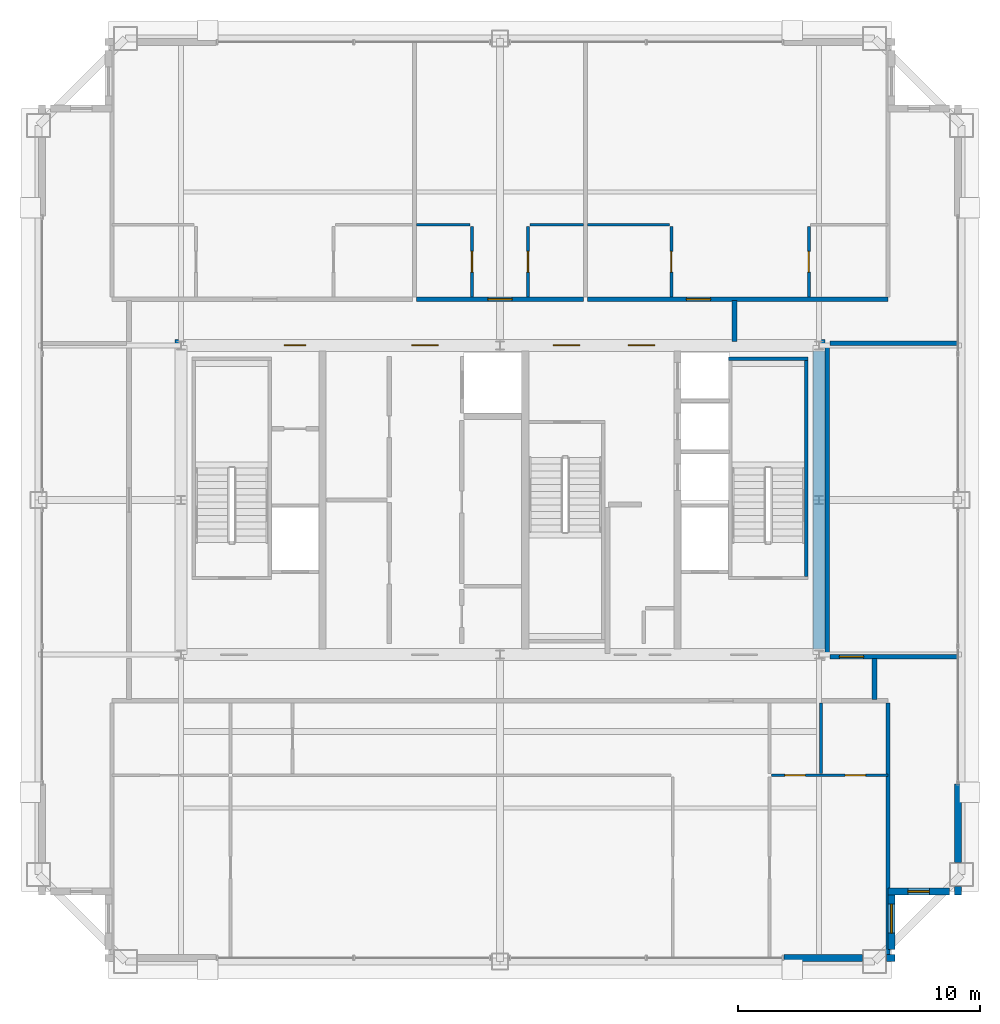
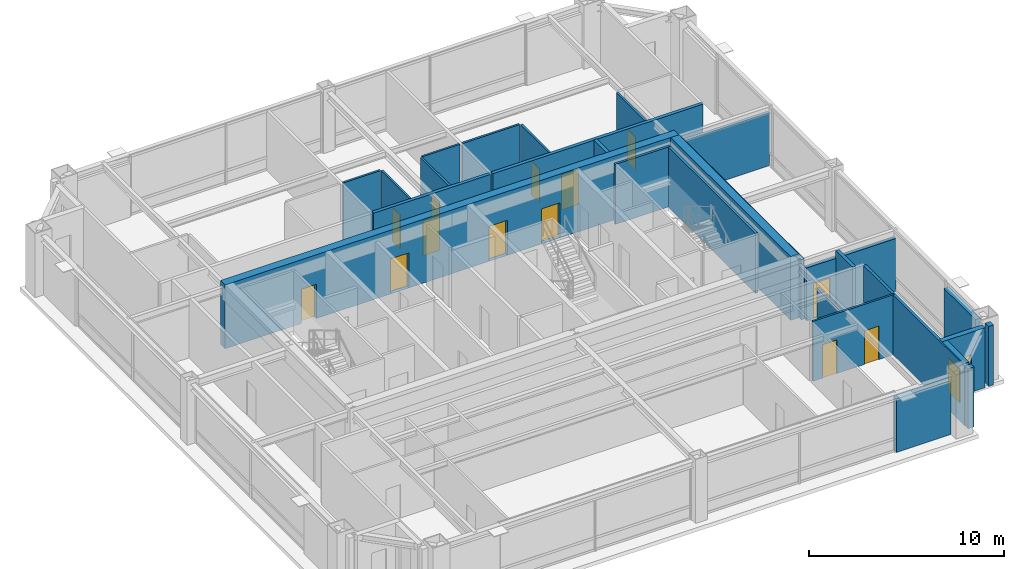
# One storey, part 32 of 34: 27 walls, 13 doors, 2 windows, 15 openings.
"""IFC4 building model written with IfcOpenShell, lengths in metres."""

from ifc_helpers import new_model, si_unit, direction, frame, frame_2d, origin, place, context, subcontext, project, spatial, rectangle, extrude, source, transform, mapped, material, layer, layer_set, type_object, element, fill, save


model = new_model("IFC4")

# Units and contexts
model_context = context("Model", 3, precision=1e-05, world=origin(), true_north=direction((0.0, 1.0)))
body_context = subcontext(model_context, "Body", "Model", "MODEL_VIEW")
ifc_project = project(units=[si_unit("LENGTHUNIT", "METRE"), si_unit("AREAUNIT", "SQUARE_METRE"), si_unit("VOLUMEUNIT", "CUBIC_METRE"), si_unit("PLANEANGLEUNIT", "RADIAN"), si_unit("MASSUNIT", "GRAM", prefix="KILO"), si_unit("THERMODYNAMICTEMPERATUREUNIT", "KELVIN"), si_unit("POWERUNIT", "WATT")], contexts=[model_context])

# Site, building, storey
site_placement = place(None, origin())
site = spatial("IfcSite", under=ifc_project, at=site_placement, CompositionType="ELEMENT")
building_placement = place(site_placement, origin())
building = spatial("IfcBuilding", under=site, at=building_placement, Name="Yuzanri Waterfront Tower", CompositionType="ELEMENT")
storey_placement = place(building_placement, frame((0.0, 0.0, 339.199951171875)))
storey = spatial("IfcBuildingStorey", under=building, at=storey_placement, Name="L91", CompositionType="ELEMENT", Elevation=339.199951171875)

# Wall, openings, doors
ifc_material_1 = material(Name="Moisture-Resistant Gypsum Stud Wall", Category="gypsum")
ifc_layer_1 = layer(ifc_material_1, 0.1201171875)
ifc_layer_set_1 = layer_set([ifc_layer_1], Name="Moisture-Resistant Gypsum Stud Wall")
wall_type_1 = type_object("IfcWallType", Name="Bathroom and Kitchen Wet Partition 120", PredefinedType="PARTITIONING", material=ifc_layer_set_1)
wall_1_placement = place(storey_placement, frame((48.22998046875, 14.409912109375, 0.0), z_axis=(0.0, 0.0, 1.0), x_axis=(1.0, 0.0, 0.0)))
wall_1 = element("IfcWall", 1, at=wall_1_placement, inside=storey, type_object=wall_type_1, Name="L91 Partition UW-L91-HS1-SUB-6-N", PredefinedType="PARTITIONING", context=body_context, shape_type="SweptSolid", body=[
    extrude(rectangle(XDim=4.830078125, YDim=0.1201171875, at=frame_2d((2.4150390625, 0.0))), origin(), (0.0, 0.0, 1.0), 3.760009765625),
])
opening_1_placement = place(wall_1_placement, frame((3.054931640625, 0.0, 0.0)))
opening_1 = element("IfcOpeningElement", 2, at=opening_1_placement, cuts=wall_1, Name="Opening ID-0850", PredefinedType="OPENING", context=body_context, shape_type="SweptSolid", body=[
    extrude(rectangle(XDim=0.85009765625, YDim=2.10009765625, at=frame_2d((0.425048828125, 1.050048828125))), frame((0.0, 0.074951171875, 0.0), z_axis=(0.0, -1.0, 0.0), x_axis=(1.0, 0.0, 0.0)), (0.0, 0.0, 1.0), 0.14990234375),
])
opening_2_placement = place(wall_1_placement, frame((0.56005859375, 0.0, 0.0)))
opening_2 = element("IfcOpeningElement", 3, at=opening_2_placement, cuts=wall_1, Name="Opening ID-0850", PredefinedType="OPENING", context=body_context, shape_type="SweptSolid", body=[
    extrude(rectangle(XDim=0.85009765625, YDim=2.10009765625, at=frame_2d((0.425048828125, 1.050048828125))), frame((0.0, 0.074951171875, 0.0), z_axis=(0.0, -1.0, 0.0), x_axis=(1.0, 0.0, 0.0)), (0.0, 0.0, 1.0), 0.14990234375),
])
ifc_material_2 = material(Name="Moisture-Resistant Lacquered Timber", Category="wood")
door_type_1 = type_object("IfcDoorType", Name="En-Suite Bathroom and Kitchen Swing Door 850x2100", OperationType="NOTDEFINED", PredefinedType="DOOR", material=ifc_material_2)
shared_shape_1 = source(origin(), body_context, "Body", "SweptSolid", [
    extrude(rectangle(XDim=0.85009765625, YDim=2.10009765625, at=frame_2d((0.425048828125, 1.050048828125))), frame((0.0, 0.02490234375, 0.0), z_axis=(0.0, -1.0, 0.0), x_axis=(1.0, 0.0, 0.0)), (0.0, 0.0, 1.0), 0.050048828125),
])
door_1_placement = place(opening_1_placement, origin())
door_1 = element("IfcDoor", 4, at=door_1_placement, inside=storey, type_object=door_type_1, Name="L91 Suite Interior Room Door", OperationType="SINGLE_SWING_RIGHT", OverallHeight=2.10009765625, OverallWidth=0.85009765625, PredefinedType="DOOR", context=body_context, shape_type="MappedRepresentation", body=[
    mapped(shared_shape_1, transform((0.0, 0.0, 0.0), scale=1.0)),
])
fill(opening_1, door_1)
door_2_placement = place(opening_2_placement, origin())
door_2 = element("IfcDoor", 5, at=door_2_placement, inside=storey, type_object=door_type_1, Name="L91 Suite Interior Room Door", OperationType="SINGLE_SWING_LEFT", OverallHeight=2.10009765625, OverallWidth=0.85009765625, PredefinedType="DOOR", context=body_context, shape_type="MappedRepresentation", body=[
    mapped(shared_shape_1, transform((0.0, 0.0, 0.0), scale=1.0)),
])
fill(opening_2, door_2)

# Wall, opening, door
wall_2_placement = place(storey_placement, frame((35.837890625, 34.2099609375, 0.0), z_axis=(0.0, 0.0, 1.0), x_axis=(0.0, 1.0, 0.0)))
wall_2 = element("IfcWall", 6, at=wall_2_placement, inside=storey, type_object=wall_type_1, Name="L91 Partition UW-L91-HN2-SUB-1-E", PredefinedType="PARTITIONING", context=body_context, shape_type="SweptSolid", body=[
    extrude(rectangle(XDim=2.900146484375, YDim=0.1201171875, at=frame_2d((1.4501953125, 0.0))), origin(), (0.0, 0.0, 1.0), 3.760009765625),
])
opening_3_placement = place(wall_2_placement, frame((1.02490234375, 0.0, 0.0)))
opening_3 = element("IfcOpeningElement", 7, at=opening_3_placement, cuts=wall_2, Name="Opening ID-0850", PredefinedType="OPENING", context=body_context, shape_type="SweptSolid", body=[
    extrude(rectangle(XDim=0.85009765625, YDim=2.10009765625, at=frame_2d((0.425048828125, 1.050048828125))), frame((0.0, 0.074951171875, 0.0), z_axis=(0.0, -1.0, 0.0), x_axis=(1.0, 0.0, 0.0)), (0.0, 0.0, 1.0), 0.14990234375),
])
door_3_placement = place(opening_3_placement, origin())
door_3 = element("IfcDoor", 8, at=door_3_placement, inside=storey, type_object=door_type_1, Name="L91 Suite Interior Room Door", OperationType="SINGLE_SWING_LEFT", OverallHeight=2.10009765625, OverallWidth=0.85009765625, PredefinedType="DOOR", context=body_context, shape_type="MappedRepresentation", body=[
    mapped(shared_shape_1, transform((0.0, 0.0, 0.0), scale=1.0)),
])
fill(opening_3, door_3)

wall_3_placement = place(storey_placement, frame((38.162109375, 34.2099609375, 0.0), z_axis=(0.0, 0.0, 1.0), x_axis=(0.0, 1.0, 0.0)))
wall_3 = element("IfcWall", 9, at=wall_3_placement, inside=storey, type_object=wall_type_1, Name="L91 Partition UW-L91-HN2-SUB-2-W", PredefinedType="PARTITIONING", context=body_context, shape_type="SweptSolid", body=[
    extrude(rectangle(XDim=2.900146484375, YDim=0.1201171875, at=frame_2d((1.4501953125, 0.0))), origin(), (0.0, 0.0, 1.0), 3.760009765625),
])
opening_4_placement = place(wall_3_placement, frame((1.02490234375, 0.0, 0.0)))
opening_4 = element("IfcOpeningElement", 10, at=opening_4_placement, cuts=wall_3, Name="Opening ID-0850", PredefinedType="OPENING", context=body_context, shape_type="SweptSolid", body=[
    extrude(rectangle(XDim=0.85009765625, YDim=2.10009765625, at=frame_2d((0.425048828125, 1.050048828125))), frame((0.0, 0.074951171875, 0.0), z_axis=(0.0, -1.0, 0.0), x_axis=(1.0, 0.0, 0.0)), (0.0, 0.0, 1.0), 0.14990234375),
])
door_4_placement = place(opening_4_placement, origin())
door_4 = element("IfcDoor", 11, at=door_4_placement, inside=storey, type_object=door_type_1, Name="L91 Suite Interior Room Door", OperationType="SINGLE_SWING_RIGHT", OverallHeight=2.10009765625, OverallWidth=0.85009765625, PredefinedType="DOOR", context=body_context, shape_type="MappedRepresentation", body=[
    mapped(shared_shape_1, transform((0.0, 0.0, 0.0), scale=1.0)),
])
fill(opening_4, door_4)

wall_4_placement = place(storey_placement, frame((44.093017578125, 34.2099609375, 0.0), z_axis=(0.0, 0.0, 1.0), x_axis=(0.0, 1.0, 0.0)))
wall_4 = element("IfcWall", 12, at=wall_4_placement, inside=storey, type_object=wall_type_1, Name="L91 Partition UW-L91-HN3-SUB-1-E", PredefinedType="PARTITIONING", context=body_context, shape_type="SweptSolid", body=[
    extrude(rectangle(XDim=2.900146484375, YDim=0.1201171875, at=frame_2d((1.4501953125, 0.0))), origin(), (0.0, 0.0, 1.0), 3.760009765625),
])
opening_5_placement = place(wall_4_placement, frame((1.02490234375, 0.0, 0.0)))
opening_5 = element("IfcOpeningElement", 13, at=opening_5_placement, cuts=wall_4, Name="Opening ID-0850", PredefinedType="OPENING", context=body_context, shape_type="SweptSolid", body=[
    extrude(rectangle(XDim=0.85009765625, YDim=2.10009765625, at=frame_2d((0.425048828125, 1.050048828125))), frame((0.0, 0.074951171875, 0.0), z_axis=(0.0, -1.0, 0.0), x_axis=(1.0, 0.0, 0.0)), (0.0, 0.0, 1.0), 0.14990234375),
])
door_5_placement = place(opening_5_placement, origin())
door_5 = element("IfcDoor", 14, at=door_5_placement, inside=storey, type_object=door_type_1, Name="L91 Suite Interior Room Door", OperationType="SINGLE_SWING_RIGHT", OverallHeight=2.10009765625, OverallWidth=0.85009765625, PredefinedType="DOOR", context=body_context, shape_type="MappedRepresentation", body=[
    mapped(shared_shape_1, transform((0.0, 0.0, 0.0), scale=1.0)),
])
fill(opening_5, door_5)

wall_5_placement = place(storey_placement, frame((49.780029296875, 34.2099609375, 0.0), z_axis=(0.0, 0.0, 1.0), x_axis=(0.0, 1.0, 0.0)))
wall_5 = element("IfcWall", 15, at=wall_5_placement, inside=storey, type_object=wall_type_1, Name="L91 Partition UW-L91-HN3-SUB-2-W", PredefinedType="PARTITIONING", context=body_context, shape_type="SweptSolid", body=[
    extrude(rectangle(XDim=2.900146484375, YDim=0.1201171875, at=frame_2d((1.4501953125, 0.0))), origin(), (0.0, 0.0, 1.0), 3.760009765625),
])
opening_6_placement = place(wall_5_placement, frame((1.02490234375, 0.0, 0.0)))
opening_6 = element("IfcOpeningElement", 16, at=opening_6_placement, cuts=wall_5, Name="Opening ID-0850", PredefinedType="OPENING", context=body_context, shape_type="SweptSolid", body=[
    extrude(rectangle(XDim=0.85009765625, YDim=2.10009765625, at=frame_2d((0.425048828125, 1.050048828125))), frame((0.0, 0.074951171875, 0.0), z_axis=(0.0, -1.0, 0.0), x_axis=(1.0, 0.0, 0.0)), (0.0, 0.0, 1.0), 0.14990234375),
])
door_6_placement = place(opening_6_placement, origin())
door_6 = element("IfcDoor", 17, at=door_6_placement, inside=storey, type_object=door_type_1, Name="L91 Suite Interior Room Door", OperationType="SINGLE_SWING_LEFT", OverallHeight=2.10009765625, OverallWidth=0.85009765625, PredefinedType="DOOR", context=body_context, shape_type="MappedRepresentation", body=[
    mapped(shared_shape_1, transform((0.0, 0.0, 0.0), scale=1.0)),
])
fill(opening_6, door_6)

# Wall, opening, window
ifc_material_3 = material(Name="Honed Chongqing Dark Basalt Stone", Category="masonry")
ifc_layer_2 = layer(ifc_material_3, 0.300048828125)
ifc_layer_set_2 = layer_set([ifc_layer_2], Name="Honed Chongqing Dark Basalt Stone")
wall_type_2 = type_object("IfcWallType", Name="Bronze Rainscreen Insulated Spandrel Portal Wall 300", PredefinedType="SOLIDWALL", material=ifc_layer_set_2)
wall_6_placement = place(storey_placement, frame((53.050048828125, 9.60009765625, 0.0), z_axis=(0.0, 0.0, 1.0), x_axis=(1.0, 0.0, 0.0)))
wall_6 = element("IfcWall", 18, at=wall_6_placement, inside=storey, type_object=wall_type_2, Name="L91 Notched Corner Masonry Wall SE-X", PredefinedType="SOLIDWALL", context=body_context, shape_type="SweptSolid", body=[
    extrude(rectangle(XDim=2.550048828125, YDim=0.300048828125, at=frame_2d((1.27490234375, 0.0))), origin(), (0.0, 0.0, 1.0), 3.760009765625),
])
opening_7_placement = place(wall_6_placement, frame((0.824951171875, 0.0, 0.85009765625)))
opening_7 = element("IfcOpeningElement", 19, at=opening_7_placement, cuts=wall_6, Name="Opening WN-05", PredefinedType="OPENING", context=body_context, shape_type="SweptSolid", body=[
    extrude(rectangle(XDim=0.89990234375, YDim=1.5, at=frame_2d((0.449951171875, 0.75))), frame((0.0, 0.1650390625, 0.0), z_axis=(0.0, -1.0, 0.0), x_axis=(1.0, 0.0, 0.0)), (0.0, 0.0, 1.0), 0.329833984375),
])
ifc_material_4 = material(Name="Double-Silver Low-E Insulated Glass", Category="glass")
window_type_1 = type_object("IfcWindowType", Name="Anodized Bronze Service and Stairwell Smoke-Vent Window 900x1500", PartitioningType="SINGLE_PANEL", PredefinedType="WINDOW", material=ifc_material_4)
shared_shape_2 = source(origin(), body_context, "Body", "SweptSolid", [
    extrude(rectangle(XDim=0.89990234375, YDim=1.5, at=frame_2d((0.449951171875, 0.75))), frame((0.0, 0.030029296875, 0.0), z_axis=(0.0, -1.0, 0.0), x_axis=(1.0, 0.0, 0.0)), (0.0, 0.0, 1.0), 0.06005859375),
])
window_1_placement = place(opening_7_placement, origin())
window_1 = element("IfcWindow", 20, at=window_1_placement, inside=storey, type_object=window_type_1, Name="L91 Notched Corner Window SE-X", OverallHeight=1.5, OverallWidth=0.89990234375, PartitioningType="SINGLE_PANEL", PredefinedType="WINDOW", context=body_context, shape_type="MappedRepresentation", body=[
    mapped(shared_shape_2, transform((0.0, 0.0, 0.0), scale=1.0)),
])
fill(opening_7, window_1)

wall_7_placement = place(storey_placement, frame((53.199951171875, 7.199951171875, 0.0), z_axis=(0.0, 0.0, 1.0), x_axis=(0.0, 1.0, 0.0)))
wall_7 = element("IfcWall", 21, at=wall_7_placement, inside=storey, type_object=wall_type_2, Name="L91 Notched Corner Masonry Wall SE-Y", PredefinedType="SOLIDWALL", context=body_context, shape_type="SweptSolid", body=[
    extrude(rectangle(XDim=2.550048828125, YDim=0.300048828125, at=frame_2d((1.27490234375, 0.0))), origin(), (0.0, 0.0, 1.0), 3.760009765625),
])
opening_8_placement = place(wall_7_placement, frame((0.675048828125, 0.0, 0.85009765625)))
opening_8 = element("IfcOpeningElement", 22, at=opening_8_placement, cuts=wall_7, Name="Opening WN-02", PredefinedType="OPENING", context=body_context, shape_type="SweptSolid", body=[
    extrude(rectangle(XDim=1.199951171875, YDim=2.10009765625, at=frame_2d((0.60009765625, 1.050048828125))), frame((0.0, 0.1650390625, 0.0), z_axis=(0.0, -1.0, 0.0), x_axis=(1.0, 0.0, 0.0)), (0.0, 0.0, 1.0), 0.329833984375),
])
ifc_material_5 = material(Name="Double-Silver Low-E Insulated Glass", Category="glass")
window_type_2 = type_object("IfcWindowType", Name="Anodized Bronze Notched Corner Deep-Set Slot Window 1200x2100", PartitioningType="SINGLE_PANEL", PredefinedType="WINDOW", material=ifc_material_5)
shared_shape_3 = source(origin(), body_context, "Body", "SweptSolid", [
    extrude(rectangle(XDim=1.199951171875, YDim=2.10009765625, at=frame_2d((0.60009765625, 1.050048828125))), frame((0.0, 0.030029296875, 0.0), z_axis=(0.0, -1.0, 0.0), x_axis=(1.0, 0.0, 0.0)), (0.0, 0.0, 1.0), 0.06005859375),
])
window_2_placement = place(opening_8_placement, origin())
window_2 = element("IfcWindow", 23, at=window_2_placement, inside=storey, type_object=window_type_2, Name="L91 Notched Corner Window SE-Y", OverallHeight=2.10009765625, OverallWidth=1.199951171875, PartitioningType="SINGLE_PANEL", PredefinedType="WINDOW", context=body_context, shape_type="MappedRepresentation", body=[
    mapped(shared_shape_3, transform((0.0, 0.0, 0.0), scale=1.0)),
])
fill(opening_8, window_2)

# Wall, openings, doors
ifc_material_6 = material(Name="Concrete C45", Category="concrete")
ifc_layer_3 = layer(ifc_material_6, 0.47998046875)
ifc_layer_set_3 = layer_set([ifc_layer_3], Name="Concrete C45")
wall_type_3 = type_object("IfcWallType", Name="Concrete C45 High-Rise Core Shear Wall 480", PredefinedType="SHEAR", material=ifc_layer_set_3)
wall_8_placement = place(storey_placement, frame((23.56005859375, 32.199951171875, 0.0), z_axis=(0.0, 0.0, 1.0), x_axis=(1.0, 0.0, 0.0)))
wall_8 = element("IfcWall", 24, at=wall_8_placement, inside=storey, type_object=wall_type_3, Name="L91 Core North Shear Wall", PredefinedType="SHEAR", context=body_context, shape_type="SweptSolid", body=[
    extrude(rectangle(XDim=26.8798828125, YDim=0.47998046875, at=frame_2d((13.43994140625, 0.0))), origin(), (0.0, 0.0, 1.0), 4.0),
])
opening_9_placement = place(wall_8_placement, frame((4.510009765625, 0.0, 0.0)))
opening_9 = element("IfcOpeningElement", 25, at=opening_9_placement, cuts=wall_8, Name="Opening FD-0900", PredefinedType="OPENING", context=body_context, shape_type="SweptSolid", body=[
    extrude(rectangle(XDim=0.89990234375, YDim=2.14990234375, at=frame_2d((0.449951171875, 1.074951171875))), frame((0.0, 0.2548828125, 0.0), z_axis=(0.0, -1.0, 0.0), x_axis=(1.0, 0.0, 0.0)), (0.0, 0.0, 1.0), 0.509765625),
])
opening_10_placement = place(wall_8_placement, frame((9.7900390625, 0.0, 0.0)))
opening_10 = element("IfcOpeningElement", 26, at=opening_10_placement, cuts=wall_8, Name="Opening FD-1100", PredefinedType="OPENING", context=body_context, shape_type="SweptSolid", body=[
    extrude(rectangle(XDim=1.10009765625, YDim=2.199951171875, at=frame_2d((0.550048828125, 1.10009765625))), frame((0.0, 0.2548828125, 0.0), z_axis=(0.0, -1.0, 0.0), x_axis=(1.0, 0.0, 0.0)), (0.0, 0.0, 1.0), 0.509765625),
])
opening_11_placement = place(wall_8_placement, frame((15.639892578125, 0.0, 0.0)))
opening_11 = element("IfcOpeningElement", 27, at=opening_11_placement, cuts=wall_8, Name="Opening FD-1100", PredefinedType="OPENING", context=body_context, shape_type="SweptSolid", body=[
    extrude(rectangle(XDim=1.10009765625, YDim=2.199951171875, at=frame_2d((0.550048828125, 1.10009765625))), frame((0.0, 0.2548828125, 0.0), z_axis=(0.0, -1.0, 0.0), x_axis=(1.0, 0.0, 0.0)), (0.0, 0.0, 1.0), 0.509765625),
])
opening_12_placement = place(wall_8_placement, frame((18.739990234375, 0.0, 0.0)))
opening_12 = element("IfcOpeningElement", 28, at=opening_12_placement, cuts=wall_8, Name="Opening FD-1100", PredefinedType="OPENING", context=body_context, shape_type="SweptSolid", body=[
    extrude(rectangle(XDim=1.10009765625, YDim=2.199951171875, at=frame_2d((0.550048828125, 1.10009765625))), frame((0.0, 0.2548828125, 0.0), z_axis=(0.0, -1.0, 0.0), x_axis=(1.0, 0.0, 0.0)), (0.0, 0.0, 1.0), 0.509765625),
])
ifc_material_7 = material(Name="Painted Galvanized Fire Steel", Category="steel")
door_type_2 = type_object("IfcDoorType", Name="Smoke-Proof Stair and Lobby Fire Door 1100x2200", OperationType="NOTDEFINED", PredefinedType="DOOR", material=ifc_material_7)
shared_shape_4 = source(origin(), body_context, "Body", "SweptSolid", [
    extrude(rectangle(XDim=1.10009765625, YDim=2.199951171875, at=frame_2d((0.550048828125, 1.10009765625))), frame((0.0, 0.02490234375, 0.0), z_axis=(0.0, -1.0, 0.0), x_axis=(1.0, 0.0, 0.0)), (0.0, 0.0, 1.0), 0.050048828125),
])
door_7_placement = place(opening_10_placement, origin())
door_7 = element("IfcDoor", 29, at=door_7_placement, inside=storey, type_object=door_type_2, Name="L91 Central Lift Lobby North Door", OperationType="SINGLE_SWING_LEFT", OverallHeight=2.199951171875, OverallWidth=1.10009765625, PredefinedType="DOOR", context=body_context, shape_type="MappedRepresentation", body=[
    mapped(shared_shape_4, transform((0.0, 0.0, 0.0), scale=1.0)),
])
fill(opening_10, door_7)
door_8_placement = place(opening_11_placement, origin())
door_8 = element("IfcDoor", 30, at=door_8_placement, inside=storey, type_object=door_type_2, Name="L91 North Stair Lobby Door", OperationType="SINGLE_SWING_RIGHT", OverallHeight=2.199951171875, OverallWidth=1.10009765625, PredefinedType="DOOR", context=body_context, shape_type="MappedRepresentation", body=[
    mapped(shared_shape_4, transform((0.0, 0.0, 0.0), scale=1.0)),
])
fill(opening_11, door_8)
door_9_placement = place(opening_12_placement, origin())
door_9 = element("IfcDoor", 31, at=door_9_placement, inside=storey, type_object=door_type_2, Name="L91 High-Rise Lift Lobby North Door", OperationType="SINGLE_SWING_LEFT", OverallHeight=2.199951171875, OverallWidth=1.10009765625, PredefinedType="DOOR", context=body_context, shape_type="MappedRepresentation", body=[
    mapped(shared_shape_4, transform((0.0, 0.0, 0.0), scale=1.0)),
])
fill(opening_12, door_9)
ifc_material_8 = material(Name="Painted Galvanized Fire Steel", Category="steel")
door_type_3 = type_object("IfcDoorType", Name="Riser and Service Room Fire Door 900x2150", OperationType="NOTDEFINED", PredefinedType="DOOR", material=ifc_material_8)
shared_shape_5 = source(origin(), body_context, "Body", "SweptSolid", [
    extrude(rectangle(XDim=0.89990234375, YDim=2.14990234375, at=frame_2d((0.449951171875, 1.074951171875))), frame((0.0, 0.02490234375, 0.0), z_axis=(0.0, -1.0, 0.0), x_axis=(1.0, 0.0, 0.0)), (0.0, 0.0, 1.0), 0.050048828125),
])
door_10_placement = place(opening_9_placement, origin())
door_10 = element("IfcDoor", 32, at=door_10_placement, inside=storey, type_object=door_type_3, Name="L91 Telecom Riser Door", OperationType="SINGLE_SWING_RIGHT", OverallHeight=2.14990234375, OverallWidth=0.89990234375, PredefinedType="DOOR", context=body_context, shape_type="MappedRepresentation", body=[
    mapped(shared_shape_5, transform((0.0, 0.0, 0.0), scale=1.0)),
])
fill(opening_9, door_10)

# Wall, opening, door
ifc_material_9 = material(Name="Autoclaved Aerated Concrete Blockwork", Category="masonry")
ifc_layer_4 = layer(ifc_material_9, 0.199951171875)
ifc_layer_set_4 = layer_set([ifc_layer_4], Name="Autoclaved Aerated Concrete Blockwork")
wall_type_4 = type_object("IfcWallType", Name="Corridor and Unit Party Fire Wall 200", PredefinedType="PARTITIONING", material=ifc_layer_set_4)
wall_9_placement = place(storey_placement, frame((33.547119140625, 34.110107421875, 0.0), z_axis=(0.0, 0.0, 1.0), x_axis=(1.0, 0.0, 0.0)))
wall_9 = element("IfcWall", 33, at=wall_9_placement, inside=storey, type_object=wall_type_4, Name="L91 Partition UW-L91-HN2-CS", PredefinedType="PARTITIONING", context=body_context, shape_type="SweptSolid", body=[
    extrude(rectangle(XDim=6.90576171875, YDim=0.199951171875, at=frame_2d((3.452880859375, 0.0))), origin(), (0.0, 0.0, 1.0), 3.760009765625),
])
opening_13_placement = place(wall_9_placement, frame((2.952880859375, 0.0, 0.0)))
opening_13 = element("IfcOpeningElement", 34, at=opening_13_placement, cuts=wall_9, Name="Opening FD-1000", PredefinedType="OPENING", context=body_context, shape_type="SweptSolid", body=[
    extrude(rectangle(XDim=1.0, YDim=2.199951171875, at=frame_2d((0.5, 1.10009765625))), frame((0.0, 0.11474609375, 0.0), z_axis=(0.0, -1.0, 0.0), x_axis=(1.0, 0.0, 0.0)), (0.0, 0.0, 1.0), 0.229736328125),
])
ifc_material_10 = material(Name="Engineered Oak Fire-Rated Timber", Category="wood")
door_type_4 = type_object("IfcDoorType", Name="Guestroom and Apartment Entrance Fire Door 1000x2200", OperationType="NOTDEFINED", PredefinedType="DOOR", material=ifc_material_10)
shared_shape_6 = source(origin(), body_context, "Body", "SweptSolid", [
    extrude(rectangle(XDim=1.0, YDim=2.199951171875, at=frame_2d((0.5, 1.10009765625))), frame((0.0, 0.02490234375, 0.0), z_axis=(0.0, -1.0, 0.0), x_axis=(1.0, 0.0, 0.0)), (0.0, 0.0, 1.0), 0.050048828125),
])
door_11_placement = place(opening_13_placement, origin())
door_11 = element("IfcDoor", 35, at=door_11_placement, inside=storey, type_object=door_type_4, Name="L91 Studio Living and Sleeping Room Entrance Door", OperationType="SINGLE_SWING_RIGHT", OverallHeight=2.199951171875, OverallWidth=1.0, PredefinedType="DOOR", context=body_context, shape_type="MappedRepresentation", body=[
    mapped(shared_shape_6, transform((0.0, 0.0, 0.0), scale=1.0)),
])
fill(opening_13, door_11)

wall_10_placement = place(storey_placement, frame((40.613037109375, 34.110107421875, 0.0), z_axis=(0.0, 0.0, 1.0), x_axis=(1.0, 0.0, 0.0)))
wall_10 = element("IfcWall", 36, at=wall_10_placement, inside=storey, type_object=wall_type_4, Name="L91 Partition UW-L91-HN3-CS", PredefinedType="PARTITIONING", context=body_context, shape_type="SweptSolid", body=[
    extrude(rectangle(XDim=12.447021484375, YDim=0.199951171875, at=frame_2d((6.2236328125, 0.0))), origin(), (0.0, 0.0, 1.0), 3.760009765625),
])
opening_14_placement = place(wall_10_placement, frame((4.09912109375, 0.0, 0.0)))
opening_14 = element("IfcOpeningElement", 37, at=opening_14_placement, cuts=wall_10, Name="Opening FD-1000", PredefinedType="OPENING", context=body_context, shape_type="SweptSolid", body=[
    extrude(rectangle(XDim=1.0, YDim=2.199951171875, at=frame_2d((0.5, 1.10009765625))), frame((0.0, 0.11474609375, 0.0), z_axis=(0.0, -1.0, 0.0), x_axis=(1.0, 0.0, 0.0)), (0.0, 0.0, 1.0), 0.229736328125),
])
door_12_placement = place(opening_14_placement, origin())
door_12 = element("IfcDoor", 38, at=door_12_placement, inside=storey, type_object=door_type_4, Name="L91 Studio Living and Sleeping Room Entrance Door", OperationType="SINGLE_SWING_LEFT", OverallHeight=2.199951171875, OverallWidth=1.0, PredefinedType="DOOR", context=body_context, shape_type="MappedRepresentation", body=[
    mapped(shared_shape_6, transform((0.0, 0.0, 0.0), scale=1.0)),
])
fill(opening_14, door_12)

wall_11_placement = place(storey_placement, frame((50.64990234375, 19.31005859375, 0.0), z_axis=(0.0, 0.0, 1.0), x_axis=(1.0, 0.0, 0.0)))
wall_11 = element("IfcWall", 39, at=wall_11_placement, inside=storey, type_object=wall_type_4, Name="L91 Partition UW-L91-038-CS", PredefinedType="PARTITIONING", context=body_context, shape_type="SweptSolid", body=[
    extrude(rectangle(XDim=5.300048828125, YDim=0.199951171875, at=frame_2d((2.64990234375, 0.0))), origin(), (0.0, 0.0, 1.0), 3.304931640625),
])
opening_15_placement = place(wall_11_placement, frame((0.39990234375, 0.0, 0.0)))
opening_15 = element("IfcOpeningElement", 40, at=opening_15_placement, cuts=wall_11, Name="Opening FD-1000", PredefinedType="OPENING", context=body_context, shape_type="SweptSolid", body=[
    extrude(rectangle(XDim=1.0, YDim=2.199951171875, at=frame_2d((0.5, 1.10009765625))), frame((0.0, 0.11474609375, 0.0), z_axis=(0.0, -1.0, 0.0), x_axis=(1.0, 0.0, 0.0)), (0.0, 0.0, 1.0), 0.229736328125),
])
door_13_placement = place(opening_15_placement, origin())
door_13 = element("IfcDoor", 41, at=door_13_placement, inside=storey, type_object=door_type_4, Name="L91 High-Rise E Executive Study Office Entrance Door", OperationType="SINGLE_SWING_LEFT", OverallHeight=2.199951171875, OverallWidth=1.0, PredefinedType="DOOR", context=body_context, shape_type="MappedRepresentation", body=[
    mapped(shared_shape_6, transform((0.0, 0.0, 0.0), scale=1.0)),
])
fill(opening_15, door_13)

# Walls
shared_shape_7 = source(origin(), body_context, "Body", "SweptSolid", [
    extrude(rectangle(XDim=12.320068359375, YDim=0.47998046875, at=frame_2d((6.16015625, 0.0))), origin(), (0.0, 0.0, 1.0), 4.0),
])
wall_12_placement = place(storey_placement, frame((50.199951171875, 19.639892578125, 0.0), z_axis=(0.0, 0.0, 1.0), x_axis=(0.0, 1.0, 0.0)))
element("IfcWall", 42, at=wall_12_placement, inside=storey, type_object=wall_type_3, Name="L91 Core East Shear Wall", PredefinedType="SHEAR", context=body_context, shape_type="MappedRepresentation", body=[
    mapped(shared_shape_7, transform((0.0, 0.0, 0.0), scale=1.0)),
])
shared_shape_8 = source(origin(), body_context, "Body", "SweptSolid", [
    extrude(rectangle(XDim=0.35009765625, YDim=0.300048828125, at=frame_2d((0.175048828125, 0.0))), origin(), (0.0, 0.0, 1.0), 3.760009765625),
])
for number, where, z_axis, x_axis, name in (
    (43, (53.0, 6.85009765625, 0.0), (0.0, 0.0, 1.0), (1.0, 0.0, 0.0), "L91 Corner Column Shoulder Return CSE"),
    (44, (55.949951171875, 9.449951171875, 0.0), (0.0, 0.0, 1.0), (0.0, 1.0, 0.0), "L91 Corner Column Shoulder Return CES"),
):
    element("IfcWall", number, at=place(storey_placement, frame(where, z_axis=z_axis, x_axis=x_axis)), inside=storey, type_object=wall_type_2, Name=name, PredefinedType="SOLIDWALL", context=body_context, shape_type="MappedRepresentation", body=[
        mapped(shared_shape_8, transform((0.0, 0.0, 0.0), scale=1.0)),
    ])
shared_shape_9 = source(origin(), body_context, "Body", "SweptSolid", [
    extrude(rectangle(XDim=3.25, YDim=0.300048828125, at=frame_2d((1.625, 0.0))), origin(), (0.0, 0.0, 1.0), 3.364990234375),
])
for number, where, z_axis, x_axis, name in (
    (45, (48.75, 6.85009765625, 0.0), (0.0, 0.0, 1.0), (1.0, 0.0, 0.0), "L91 S Right Braced Masonry Shoulder"),
    (46, (55.949951171875, 10.800048828125, 0.0), (0.0, 0.0, 1.0), (0.0, 1.0, 0.0), "L91 E Left Braced Masonry Shoulder"),
):
    element("IfcWall", number, at=place(storey_placement, frame(where, z_axis=z_axis, x_axis=x_axis)), inside=storey, type_object=wall_type_2, Name=name, PredefinedType="SOLIDWALL", context=body_context, shape_type="MappedRepresentation", body=[
        mapped(shared_shape_9, transform((0.0, 0.0, 0.0), scale=1.0)),
    ])
ifc_material_11 = material(Name="Concrete C40", Category="concrete")
ifc_layer_5 = layer(ifc_material_11, 0.139892578125)
ifc_layer_set_5 = layer_set([ifc_layer_5], Name="Concrete C40")
wall_type_5 = type_object("IfcWallType", Name="Core Stair Liner and Hoistway Shaft Wall 140", PredefinedType="SOLIDWALL", material=ifc_layer_set_5)
shared_shape_10 = source(origin(), body_context, "Body", "SweptSolid", [
    extrude(rectangle(XDim=3.280029296875, YDim=0.139892578125, at=frame_2d((1.64013671875, 0.0))), origin(), (0.0, 0.0, 1.0), 3.760009765625),
])
wall_13_placement = place(storey_placement, frame((46.4599609375, 31.64990234375, 0.0), z_axis=(0.0, 0.0, 1.0), x_axis=(1.0, 0.0, 0.0)))
element("IfcWall", 47, at=wall_13_placement, inside=storey, type_object=wall_type_5, Name="L91 Stair ST-02 North Shaft Wall", PredefinedType="SOLIDWALL", context=body_context, shape_type="MappedRepresentation", body=[
    mapped(shared_shape_10, transform((0.0, 0.0, 0.0), scale=1.0)),
])
shared_shape_11 = source(origin(), body_context, "Body", "SweptSolid", [
    extrude(rectangle(XDim=8.940185546875, YDim=0.139892578125, at=frame_2d((4.47021484375, 0.0))), origin(), (0.0, 0.0, 1.0), 3.760009765625),
])
wall_14_placement = place(storey_placement, frame((49.669921875, 22.639892578125, 0.0), z_axis=(0.0, 0.0, 1.0), x_axis=(0.0, 1.0, 0.0)))
element("IfcWall", 48, at=wall_14_placement, inside=storey, type_object=wall_type_5, Name="L91 Stair ST-02 East Shaft Wall", PredefinedType="SOLIDWALL", context=body_context, shape_type="MappedRepresentation", body=[
    mapped(shared_shape_11, transform((0.0, 0.0, 0.0), scale=1.0)),
])
shared_shape_12 = source(origin(), body_context, "Body", "SweptSolid", [
    extrude(rectangle(XDim=1.699951171875, YDim=0.199951171875, at=frame_2d((0.85009765625, 0.0))), origin(), (0.0, 0.0, 1.0), 3.760009765625),
])
for number, where, z_axis, x_axis, name in (
    (49, (46.699951171875, 32.35009765625, 0.0), (0.0, 0.0, 1.0), (0.0, 1.0, 0.0), "L91 North Foyer East End Wall"),
    (50, (52.5, 17.550048828125, 0.0), (0.0, 0.0, 1.0), (0.0, 1.0, 0.0), "L91 South Foyer East End Wall"),
):
    element("IfcWall", number, at=place(storey_placement, frame(where, z_axis=z_axis, x_axis=x_axis)), inside=storey, type_object=wall_type_4, Name=name, PredefinedType="PARTITIONING", context=body_context, shape_type="MappedRepresentation", body=[
        mapped(shared_shape_12, transform((0.0, 0.0, 0.0), scale=1.0)),
    ])
ifc_material_12 = material(Name="Gypsum Fireboard Acoustic Stud Wall", Category="gypsum")
ifc_layer_6 = layer(ifc_material_12, 0.159912109375)
ifc_layer_set_6 = layer_set([ifc_layer_6], Name="Gypsum Fireboard Acoustic Stud Wall")
wall_type_6 = type_object("IfcWallType", Name="Acoustic Suite Demising Partition 160", PredefinedType="PARTITIONING", material=ifc_layer_set_6)
shared_shape_13 = source(origin(), body_context, "Body", "SweptSolid", [
    extrude(rectangle(XDim=10.389892578125, YDim=0.159912109375, at=frame_2d((5.19482421875, 0.0))), origin(), (0.0, 0.0, 1.0), 3.760009765625),
])
wall_15_placement = place(storey_placement, frame((53.050048828125, 7.0, 0.0), z_axis=(0.0, 0.0, 1.0), x_axis=(0.0, 1.0, 0.0)))
element("IfcWall", 51, at=wall_15_placement, inside=storey, type_object=wall_type_6, Name="L91 South Band East End Wall", PredefinedType="PARTITIONING", context=body_context, shape_type="MappedRepresentation", body=[
    mapped(shared_shape_13, transform((0.0, 0.0, 0.0), scale=1.0)),
])
shared_shape_14 = source(origin(), body_context, "Body", "SweptSolid", [
    extrude(rectangle(XDim=2.89990234375, YDim=0.1201171875, at=frame_2d((1.449951171875, 0.0))), origin(), (0.0, 0.0, 1.0), 3.304931640625),
])
wall_16_placement = place(storey_placement, frame((50.280029296875, 14.489990234375, 0.0), z_axis=(0.0, 0.0, 1.0), x_axis=(0.0, 1.0, 0.0)))
element("IfcWall", 52, at=wall_16_placement, inside=storey, type_object=wall_type_1, Name="L91 Partition UW-L91-HS1-SUB-3-W", PredefinedType="PARTITIONING", context=body_context, shape_type="MappedRepresentation", body=[
    mapped(shared_shape_14, transform((0.0, 0.0, 0.0), scale=1.0)),
])
shared_shape_15 = source(origin(), body_context, "Body", "SweptSolid", [
    extrude(rectangle(XDim=2.2109375, YDim=0.1201171875, at=frame_2d((1.10546875, 0.0))), origin(), (0.0, 0.0, 1.0), 3.760009765625),
])
for number, where, z_axis, x_axis, name in (
    (53, (33.547119140625, 37.18994140625, 0.0), (0.0, 0.0, 1.0), (1.0, 0.0, 0.0), "L91 Partition UW-L91-HN2-SUB-1-N"),
    (54, (38.241943359375, 37.18994140625, 0.0), (0.0, 0.0, 1.0), (1.0, 0.0, 0.0), "L91 Partition UW-L91-HN2-SUB-2-N"),
):
    element("IfcWall", number, at=place(storey_placement, frame(where, z_axis=z_axis, x_axis=x_axis)), inside=storey, type_object=wall_type_1, Name=name, PredefinedType="PARTITIONING", context=body_context, shape_type="MappedRepresentation", body=[
        mapped(shared_shape_15, transform((0.0, 0.0, 0.0), scale=1.0)),
    ])
shared_shape_16 = source(origin(), body_context, "Body", "SweptSolid", [
    extrude(rectangle(XDim=3.39990234375, YDim=0.1201171875, at=frame_2d((1.699951171875, 0.0))), origin(), (0.0, 0.0, 1.0), 3.760009765625),
])
wall_17_placement = place(storey_placement, frame((40.613037109375, 37.18994140625, 0.0), z_axis=(0.0, 0.0, 1.0), x_axis=(1.0, 0.0, 0.0)))
element("IfcWall", 55, at=wall_17_placement, inside=storey, type_object=wall_type_1, Name="L91 Partition UW-L91-HN3-SUB-1-N", PredefinedType="PARTITIONING", context=body_context, shape_type="MappedRepresentation", body=[
    mapped(shared_shape_16, transform((0.0, 0.0, 0.0), scale=1.0)),
])
shared_shape_17 = source(origin(), body_context, "Body", "SweptSolid", [
    extrude(rectangle(XDim=5.300048828125, YDim=0.199951171875, at=frame_2d((2.64990234375, 0.0))), origin(), (0.0, 0.0, 1.0), 3.304931640625),
])
wall_18_placement = place(storey_placement, frame((50.64990234375, 32.2900390625, 0.0), z_axis=(0.0, 0.0, 1.0), x_axis=(1.0, 0.0, 0.0)))
element("IfcWall", 56, at=wall_18_placement, inside=storey, type_object=wall_type_4, Name="L91-038 Wing North Wall", PredefinedType="PARTITIONING", context=body_context, shape_type="MappedRepresentation", body=[
    mapped(shared_shape_17, transform((0.0, 0.0, 0.0), scale=1.0)),
])
shared_shape_18 = source(origin(), body_context, "Body", "SweptSolid", [
    extrude(rectangle(XDim=12.780029296875, YDim=0.199951171875, at=frame_2d((6.39013671875, 0.0))), origin(), (0.0, 0.0, 1.0), 3.760009765625),
])
wall_19_placement = place(storey_placement, frame((50.544921875, 19.409912109375, 0.0), z_axis=(0.0, 0.0, 1.0), x_axis=(0.0, 1.0, 0.0)))
element("IfcWall", 57, at=wall_19_placement, inside=storey, type_object=wall_type_4, Name="L91-038 Wing Inner Core-Side Wall", PredefinedType="PARTITIONING", context=body_context, shape_type="MappedRepresentation", body=[
    mapped(shared_shape_18, transform((0.0, 0.0, 0.0), scale=1.0)),
])

save(model, "model.ifc")
